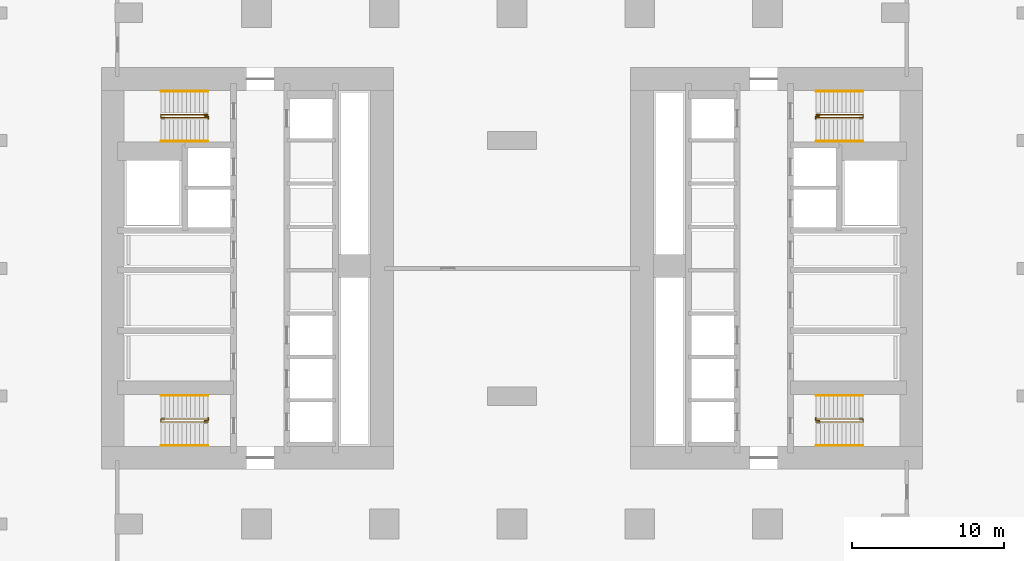
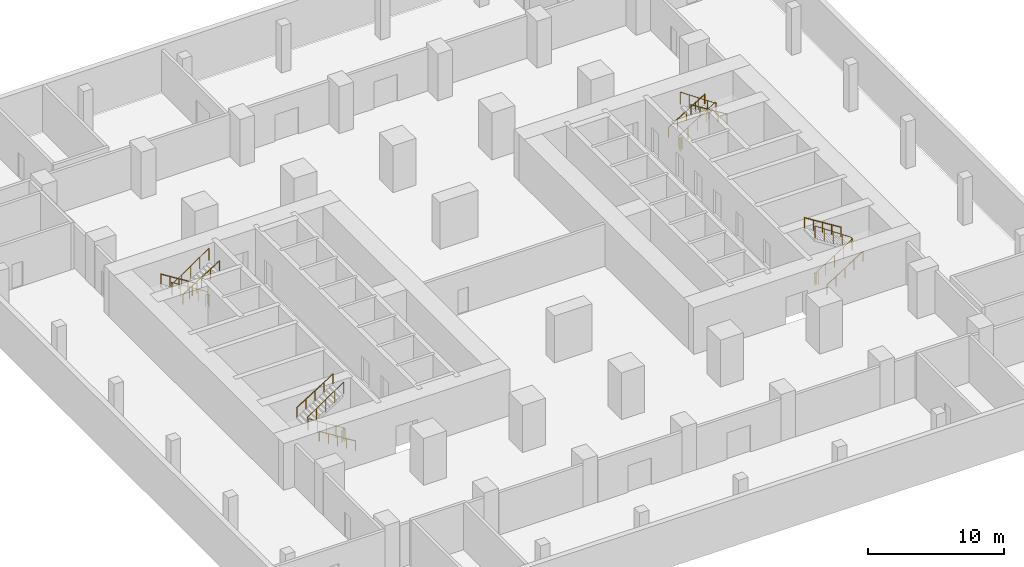
# One storey, part 8 of 8: 16 railings.
"""IFC4 building model written with IfcOpenShell, lengths in metres."""

from ifc_helpers import new_model, si_unit, direction, frame, origin, origin_2d, place, context, subcontext, project, spatial, circle, extrude, material, type_object, element, save


model = new_model("IFC4")

# Units and contexts
model_context = context("Model", 3, precision=1e-05, world=origin(), true_north=direction((0.0, 1.0)))
body_context = subcontext(model_context, "Body", "Model", "MODEL_VIEW")
ifc_project = project(units=[si_unit("LENGTHUNIT", "METRE"), si_unit("AREAUNIT", "SQUARE_METRE"), si_unit("VOLUMEUNIT", "CUBIC_METRE"), si_unit("PLANEANGLEUNIT", "RADIAN"), si_unit("MASSUNIT", "GRAM", prefix="KILO")], contexts=[model_context])

# Site, building, storey
site_placement = place(None, origin())
site = spatial("IfcSite", under=ifc_project, at=site_placement, CompositionType="ELEMENT")
building_placement = place(site_placement, origin())
building = spatial("IfcBuilding", under=site, at=building_placement, Name="Claustro Exchange Tower", CompositionType="ELEMENT")
storey_placement = place(building_placement, frame((0.0, 0.0, -4.199951171875)))
storey = spatial("IfcBuildingStorey", under=building, at=storey_placement, Name="B1", CompositionType="ELEMENT", Elevation=-4.199951171875)

# Railings
ifc_material_1 = material(Name="Steel balustrade, painted", Category="steel")
railing_type_1 = type_object("IfcRailingType", Name="GR2 1100 steel stair guard", PredefinedType="GUARDRAIL", material=ifc_material_1)
railing_1_placement = place(storey_placement, frame((5.199951171875, 15.10009765625, 0.175048828125)))
element("IfcRailing", 1, at=railing_1_placement, inside=storey, type_object=railing_type_1, Name="Stair well guard GR2 stair STWA B1", PredefinedType="GUARDRAIL", context=body_context, shape_type="SweptSolid", body=[
    extrude(circle(Radius=0.02392578125, at=origin_2d()), frame((0.0, 0.0, 1.076171875), z_axis=(-0.848009633417, 0.0, 0.529980812513), x_axis=(0.0, -1.0, 0.0)), (0.0, 0.0, 1.0), 3.6318359375),
    extrude(circle(Radius=0.02392578125, at=origin_2d()), frame((-3.079833984375, 0.0, 3.0009765625), z_axis=(0.0, 1.0, 0.0), x_axis=(-1.0, 0.0, 0.0)), (0.0, 0.0, 1.0), 0.199951171875),
    extrude(circle(Radius=0.02392578125, at=origin_2d()), frame((-3.079833984375, 0.199951171875, 3.0009765625), z_axis=(0.826201015165, 0.0, 0.563375436579), x_axis=(0.0, 1.0, 0.0)), (0.0, 0.0, 1.0), 3.727783203125),
    extrude(circle(Radius=0.02099609375, at=origin_2d()), origin(), (0.0, 0.0, 1.0), 1.052001953125),
    extrude(circle(Radius=0.02099609375, at=origin_2d()), frame((-0.77001953125, 0.0, 0.481201171875)), (0.0, 0.0, 1.0), 1.052001953125),
    extrude(circle(Radius=0.02099609375, at=origin_2d()), frame((-1.5400390625, 0.0, 0.96240234375)), (0.0, 0.0, 1.0), 1.052001953125),
    extrude(circle(Radius=0.02099609375, at=origin_2d()), frame((-2.309814453125, 0.0, 1.443603515625)), (0.0, 0.0, 1.0), 1.052001953125),
    extrude(circle(Radius=0.02099609375, at=origin_2d()), frame((-3.079833984375, 0.0, 1.9248046875)), (0.0, 0.0, 1.0), 1.052001953125),
    extrude(circle(Radius=0.02099609375, at=origin_2d()), frame((-3.079833984375, 0.199951171875, 1.9248046875)), (0.0, 0.0, 1.0), 1.052001953125),
    extrude(circle(Radius=0.02099609375, at=origin_2d()), frame((-2.309814453125, 0.199951171875, 2.44970703125)), (0.0, 0.0, 1.0), 1.052001953125),
    extrude(circle(Radius=0.02099609375, at=origin_2d()), frame((-1.5400390625, 0.199951171875, 2.974853515625)), (0.0, 0.0, 1.0), 1.052001953125),
    extrude(circle(Radius=0.02099609375, at=origin_2d()), frame((-0.77001953125, 0.199951171875, 3.5)), (0.0, 0.0, 1.0), 1.052001953125),
    extrude(circle(Radius=0.02099609375, at=origin_2d()), frame((0.0, 0.199951171875, 4.02490234375)), (0.0, 0.0, 1.0), 1.052001953125),
])
railing_2_placement = place(storey_placement, frame((5.0, 15.169921875, 0.0)))
element("IfcRailing", 2, at=railing_2_placement, inside=storey, type_object=railing_type_1, Name="Stair guard GR2 STWA B1", PredefinedType="GUARDRAIL", context=body_context, shape_type="SweptSolid", body=[
    extrude(circle(Radius=0.02392578125, at=origin_2d()), frame((0.0, 0.0, 1.076171875), z_axis=(0.0, 1.0, 0.0), x_axis=(-1.0, 0.0, 0.0)), (0.0, 0.0, 1.0), 0.030029296875),
    extrude(circle(Radius=0.02392578125, at=origin_2d()), frame((0.0, 0.030029296875, 1.076171875), z_axis=(1.0, 0.0, 0.0), x_axis=(0.0, 1.0, 0.0)), (0.0, 0.0, 1.0), 0.22509765625),
    extrude(circle(Radius=0.02392578125, at=origin_2d()), frame((0.22509765625, 0.030029296875, 1.076171875), z_axis=(0.0, 1.0, 0.0), x_axis=(-1.0, 0.0, 0.0)), (0.0, 0.0, 1.0), 0.179931640625),
    extrude(circle(Radius=0.02099609375, at=origin_2d()), origin(), (0.0, 0.0, 1.0), 1.052001953125),
    extrude(circle(Radius=0.02099609375, at=origin_2d()), frame((0.0, 0.030029296875, 0.0)), (0.0, 0.0, 1.0), 1.052001953125),
    extrude(circle(Radius=0.02099609375, at=origin_2d()), frame((0.22509765625, 0.030029296875, 0.0)), (0.0, 0.0, 1.0), 1.052001953125),
    extrude(circle(Radius=0.02099609375, at=origin_2d()), frame((0.22509765625, 0.2099609375, 0.0)), (0.0, 0.0, 1.0), 1.052001953125),
])
railing_3_placement = place(storey_placement, frame((5.199951171875, 35.300048828125, 0.175048828125)))
element("IfcRailing", 3, at=railing_3_placement, inside=storey, type_object=railing_type_1, Name="Stair well guard GR2 stair STWB B1", PredefinedType="GUARDRAIL", context=body_context, shape_type="SweptSolid", body=[
    extrude(circle(Radius=0.02392578125, at=origin_2d()), frame((0.0, 0.0, 1.076171875), z_axis=(-0.848009633417, 0.0, 0.529980812513), x_axis=(0.0, -1.0, 0.0)), (0.0, 0.0, 1.0), 3.6318359375),
    extrude(circle(Radius=0.02392578125, at=origin_2d()), frame((-3.079833984375, 0.0, 3.0009765625), z_axis=(0.0, -1.0, 0.0), x_axis=(1.0, 0.0, 0.0)), (0.0, 0.0, 1.0), 0.199951171875),
    extrude(circle(Radius=0.02392578125, at=origin_2d()), frame((-3.079833984375, -0.199951171875, 3.0009765625), z_axis=(0.826201015165, 0.0, 0.563375436579), x_axis=(0.0, 1.0, 0.0)), (0.0, 0.0, 1.0), 3.727783203125),
    extrude(circle(Radius=0.02099609375, at=origin_2d()), origin(), (0.0, 0.0, 1.0), 1.052001953125),
    extrude(circle(Radius=0.02099609375, at=origin_2d()), frame((-0.77001953125, 0.0, 0.481201171875)), (0.0, 0.0, 1.0), 1.052001953125),
    extrude(circle(Radius=0.02099609375, at=origin_2d()), frame((-1.5400390625, 0.0, 0.96240234375)), (0.0, 0.0, 1.0), 1.052001953125),
    extrude(circle(Radius=0.02099609375, at=origin_2d()), frame((-2.309814453125, 0.0, 1.443603515625)), (0.0, 0.0, 1.0), 1.052001953125),
    extrude(circle(Radius=0.02099609375, at=origin_2d()), frame((-3.079833984375, 0.0, 1.9248046875)), (0.0, 0.0, 1.0), 1.052001953125),
    extrude(circle(Radius=0.02099609375, at=origin_2d()), frame((-3.079833984375, -0.199951171875, 1.9248046875)), (0.0, 0.0, 1.0), 1.052001953125),
    extrude(circle(Radius=0.02099609375, at=origin_2d()), frame((-2.309814453125, -0.199951171875, 2.44970703125)), (0.0, 0.0, 1.0), 1.052001953125),
    extrude(circle(Radius=0.02099609375, at=origin_2d()), frame((-1.5400390625, -0.199951171875, 2.974853515625)), (0.0, 0.0, 1.0), 1.052001953125),
    extrude(circle(Radius=0.02099609375, at=origin_2d()), frame((-0.77001953125, -0.199951171875, 3.5)), (0.0, 0.0, 1.0), 1.052001953125),
    extrude(circle(Radius=0.02099609375, at=origin_2d()), frame((0.0, -0.199951171875, 4.02490234375)), (0.0, 0.0, 1.0), 1.052001953125),
])
railing_4_placement = place(storey_placement, frame((5.0, 35.22998046875, 0.0)))
element("IfcRailing", 4, at=railing_4_placement, inside=storey, type_object=railing_type_1, Name="Stair guard GR2 STWB B1", PredefinedType="GUARDRAIL", context=body_context, shape_type="SweptSolid", body=[
    extrude(circle(Radius=0.02392578125, at=origin_2d()), frame((0.0, 0.0, 1.076171875), z_axis=(0.0, -1.0, 0.0), x_axis=(1.0, 0.0, 0.0)), (0.0, 0.0, 1.0), 0.030029296875),
    extrude(circle(Radius=0.02392578125, at=origin_2d()), frame((0.0, -0.030029296875, 1.076171875), z_axis=(1.0, 0.0, 0.0), x_axis=(0.0, 1.0, 0.0)), (0.0, 0.0, 1.0), 0.22509765625),
    extrude(circle(Radius=0.02392578125, at=origin_2d()), frame((0.22509765625, -0.030029296875, 1.076171875), z_axis=(0.0, -1.0, 0.0), x_axis=(1.0, 0.0, 0.0)), (0.0, 0.0, 1.0), 0.179931640625),
    extrude(circle(Radius=0.02099609375, at=origin_2d()), origin(), (0.0, 0.0, 1.0), 1.052001953125),
    extrude(circle(Radius=0.02099609375, at=origin_2d()), frame((0.0, -0.030029296875, 0.0)), (0.0, 0.0, 1.0), 1.052001953125),
    extrude(circle(Radius=0.02099609375, at=origin_2d()), frame((0.22509765625, -0.030029296875, 0.0)), (0.0, 0.0, 1.0), 1.052001953125),
    extrude(circle(Radius=0.02099609375, at=origin_2d()), frame((0.22509765625, -0.2099609375, 0.0)), (0.0, 0.0, 1.0), 1.052001953125),
])
railing_5_placement = place(storey_placement, frame((45.199951171875, 15.10009765625, 0.175048828125)))
element("IfcRailing", 5, at=railing_5_placement, inside=storey, type_object=railing_type_1, Name="Stair well guard GR2 stair STEA B1", PredefinedType="GUARDRAIL", context=body_context, shape_type="SweptSolid", body=[
    extrude(circle(Radius=0.02392578125, at=origin_2d()), frame((0.0, 0.0, 1.076171875), z_axis=(0.848028513186, 0.0, 0.529950602248), x_axis=(0.0, 1.0, 0.0)), (0.0, 0.0, 1.0), 3.632080078125),
    extrude(circle(Radius=0.02392578125, at=origin_2d()), frame((3.080078125, 0.0, 3.0009765625), z_axis=(0.0, 1.0, 0.0), x_axis=(-1.0, 0.0, 0.0)), (0.0, 0.0, 1.0), 0.199951171875),
    extrude(circle(Radius=0.02392578125, at=origin_2d()), frame((3.080078125, 0.199951171875, 3.0009765625), z_axis=(-0.826221800596, 0.0, 0.563344953133), x_axis=(0.0, -1.0, 0.0)), (0.0, 0.0, 1.0), 3.72802734375),
    extrude(circle(Radius=0.02099609375, at=origin_2d()), origin(), (0.0, 0.0, 1.0), 1.052001953125),
    extrude(circle(Radius=0.02099609375, at=origin_2d()), frame((0.77001953125, 0.0, 0.481201171875)), (0.0, 0.0, 1.0), 1.052001953125),
    extrude(circle(Radius=0.02099609375, at=origin_2d()), frame((1.5400390625, 0.0, 0.96240234375)), (0.0, 0.0, 1.0), 1.052001953125),
    extrude(circle(Radius=0.02099609375, at=origin_2d()), frame((2.31005859375, 0.0, 1.443603515625)), (0.0, 0.0, 1.0), 1.052001953125),
    extrude(circle(Radius=0.02099609375, at=origin_2d()), frame((3.080078125, 0.0, 1.9248046875)), (0.0, 0.0, 1.0), 1.052001953125),
    extrude(circle(Radius=0.02099609375, at=origin_2d()), frame((3.080078125, 0.199951171875, 1.9248046875)), (0.0, 0.0, 1.0), 1.052001953125),
    extrude(circle(Radius=0.02099609375, at=origin_2d()), frame((2.31005859375, 0.199951171875, 2.44970703125)), (0.0, 0.0, 1.0), 1.052001953125),
    extrude(circle(Radius=0.02099609375, at=origin_2d()), frame((1.5400390625, 0.199951171875, 2.974853515625)), (0.0, 0.0, 1.0), 1.052001953125),
    extrude(circle(Radius=0.02099609375, at=origin_2d()), frame((0.77001953125, 0.199951171875, 3.5)), (0.0, 0.0, 1.0), 1.052001953125),
    extrude(circle(Radius=0.02099609375, at=origin_2d()), frame((0.0, 0.199951171875, 4.02490234375)), (0.0, 0.0, 1.0), 1.052001953125),
])
railing_6_placement = place(storey_placement, frame((45.39990234375, 15.169921875, 0.0)))
element("IfcRailing", 6, at=railing_6_placement, inside=storey, type_object=railing_type_1, Name="Stair guard GR2 STEA B1", PredefinedType="GUARDRAIL", context=body_context, shape_type="SweptSolid", body=[
    extrude(circle(Radius=0.02392578125, at=origin_2d()), frame((0.0, 0.0, 1.076171875), z_axis=(0.0, 1.0, 0.0), x_axis=(-1.0, 0.0, 0.0)), (0.0, 0.0, 1.0), 0.030029296875),
    extrude(circle(Radius=0.02392578125, at=origin_2d()), frame((0.0, 0.030029296875, 1.076171875), z_axis=(-1.0, 0.0, 0.0), x_axis=(0.0, -1.0, 0.0)), (0.0, 0.0, 1.0), 0.224853515625),
    extrude(circle(Radius=0.02392578125, at=origin_2d()), frame((-0.224853515625, 0.030029296875, 1.076171875), z_axis=(0.0, 1.0, 0.0), x_axis=(-1.0, 0.0, 0.0)), (0.0, 0.0, 1.0), 0.179931640625),
    extrude(circle(Radius=0.02099609375, at=origin_2d()), origin(), (0.0, 0.0, 1.0), 1.052001953125),
    extrude(circle(Radius=0.02099609375, at=origin_2d()), frame((0.0, 0.030029296875, 0.0)), (0.0, 0.0, 1.0), 1.052001953125),
    extrude(circle(Radius=0.02099609375, at=origin_2d()), frame((-0.224853515625, 0.030029296875, 0.0)), (0.0, 0.0, 1.0), 1.052001953125),
    extrude(circle(Radius=0.02099609375, at=origin_2d()), frame((-0.224853515625, 0.2099609375, 0.0)), (0.0, 0.0, 1.0), 1.052001953125),
])
railing_7_placement = place(storey_placement, frame((45.199951171875, 35.300048828125, 0.175048828125)))
element("IfcRailing", 7, at=railing_7_placement, inside=storey, type_object=railing_type_1, Name="Stair well guard GR2 stair STEB B1", PredefinedType="GUARDRAIL", context=body_context, shape_type="SweptSolid", body=[
    extrude(circle(Radius=0.02392578125, at=origin_2d()), frame((0.0, 0.0, 1.076171875), z_axis=(0.848028513186, 0.0, 0.529950602248), x_axis=(0.0, 1.0, 0.0)), (0.0, 0.0, 1.0), 3.632080078125),
    extrude(circle(Radius=0.02392578125, at=origin_2d()), frame((3.080078125, 0.0, 3.0009765625), z_axis=(0.0, -1.0, 0.0), x_axis=(1.0, 0.0, 0.0)), (0.0, 0.0, 1.0), 0.199951171875),
    extrude(circle(Radius=0.02392578125, at=origin_2d()), frame((3.080078125, -0.199951171875, 3.0009765625), z_axis=(-0.826221800596, 0.0, 0.563344953133), x_axis=(0.0, -1.0, 0.0)), (0.0, 0.0, 1.0), 3.72802734375),
    extrude(circle(Radius=0.02099609375, at=origin_2d()), origin(), (0.0, 0.0, 1.0), 1.052001953125),
    extrude(circle(Radius=0.02099609375, at=origin_2d()), frame((0.77001953125, 0.0, 0.481201171875)), (0.0, 0.0, 1.0), 1.052001953125),
    extrude(circle(Radius=0.02099609375, at=origin_2d()), frame((1.5400390625, 0.0, 0.96240234375)), (0.0, 0.0, 1.0), 1.052001953125),
    extrude(circle(Radius=0.02099609375, at=origin_2d()), frame((2.31005859375, 0.0, 1.443603515625)), (0.0, 0.0, 1.0), 1.052001953125),
    extrude(circle(Radius=0.02099609375, at=origin_2d()), frame((3.080078125, 0.0, 1.9248046875)), (0.0, 0.0, 1.0), 1.052001953125),
    extrude(circle(Radius=0.02099609375, at=origin_2d()), frame((3.080078125, -0.199951171875, 1.9248046875)), (0.0, 0.0, 1.0), 1.052001953125),
    extrude(circle(Radius=0.02099609375, at=origin_2d()), frame((2.31005859375, -0.199951171875, 2.44970703125)), (0.0, 0.0, 1.0), 1.052001953125),
    extrude(circle(Radius=0.02099609375, at=origin_2d()), frame((1.5400390625, -0.199951171875, 2.974853515625)), (0.0, 0.0, 1.0), 1.052001953125),
    extrude(circle(Radius=0.02099609375, at=origin_2d()), frame((0.77001953125, -0.199951171875, 3.5)), (0.0, 0.0, 1.0), 1.052001953125),
    extrude(circle(Radius=0.02099609375, at=origin_2d()), frame((0.0, -0.199951171875, 4.02490234375)), (0.0, 0.0, 1.0), 1.052001953125),
])
railing_8_placement = place(storey_placement, frame((45.39990234375, 35.22998046875, 0.0)))
element("IfcRailing", 8, at=railing_8_placement, inside=storey, type_object=railing_type_1, Name="Stair guard GR2 STEB B1", PredefinedType="GUARDRAIL", context=body_context, shape_type="SweptSolid", body=[
    extrude(circle(Radius=0.02392578125, at=origin_2d()), frame((0.0, 0.0, 1.076171875), z_axis=(0.0, -1.0, 0.0), x_axis=(1.0, 0.0, 0.0)), (0.0, 0.0, 1.0), 0.030029296875),
    extrude(circle(Radius=0.02392578125, at=origin_2d()), frame((0.0, -0.030029296875, 1.076171875), z_axis=(-1.0, 0.0, 0.0), x_axis=(0.0, -1.0, 0.0)), (0.0, 0.0, 1.0), 0.224853515625),
    extrude(circle(Radius=0.02392578125, at=origin_2d()), frame((-0.224853515625, -0.030029296875, 1.076171875), z_axis=(0.0, -1.0, 0.0), x_axis=(1.0, 0.0, 0.0)), (0.0, 0.0, 1.0), 0.179931640625),
    extrude(circle(Radius=0.02099609375, at=origin_2d()), origin(), (0.0, 0.0, 1.0), 1.052001953125),
    extrude(circle(Radius=0.02099609375, at=origin_2d()), frame((0.0, -0.030029296875, 0.0)), (0.0, 0.0, 1.0), 1.052001953125),
    extrude(circle(Radius=0.02099609375, at=origin_2d()), frame((-0.224853515625, -0.030029296875, 0.0)), (0.0, 0.0, 1.0), 1.052001953125),
    extrude(circle(Radius=0.02099609375, at=origin_2d()), frame((-0.224853515625, -0.2099609375, 0.0)), (0.0, 0.0, 1.0), 1.052001953125),
])
ifc_material_2 = material(Name="Stainless steel tube", Category="steel")
railing_type_2 = type_object("IfcRailingType", Name="HR1 900 stair handrail", PredefinedType="HANDRAIL", material=ifc_material_2)
railing_9_placement = place(storey_placement, frame((5.199951171875, 13.56005859375, 0.175048828125)))
element("IfcRailing", 9, at=railing_9_placement, inside=storey, type_object=railing_type_2, Name="Handrail HR1 stair STWA B1", PredefinedType="HANDRAIL", context=body_context, shape_type="SweptSolid", body=[
    extrude(circle(Radius=0.02392578125, at=origin_2d()), frame((0.0, 0.0, 0.8759765625), z_axis=(-0.848009633417, 0.0, 0.529980812513), x_axis=(0.0, -1.0, 0.0)), (0.0, 0.0, 1.0), 3.6318359375),
    extrude(circle(Radius=0.02099609375, at=origin_2d()), origin(), (0.0, 0.0, 1.0), 0.851806640625),
    extrude(circle(Radius=0.02099609375, at=origin_2d()), frame((-0.77001953125, 0.0, 0.481201171875)), (0.0, 0.0, 1.0), 0.851806640625),
    extrude(circle(Radius=0.02099609375, at=origin_2d()), frame((-1.5400390625, 0.0, 0.96240234375)), (0.0, 0.0, 1.0), 0.851806640625),
    extrude(circle(Radius=0.02099609375, at=origin_2d()), frame((-2.309814453125, 0.0, 1.443603515625)), (0.0, 0.0, 1.0), 0.851806640625),
    extrude(circle(Radius=0.02099609375, at=origin_2d()), frame((-3.079833984375, 0.0, 1.9248046875)), (0.0, 0.0, 1.0), 0.851806640625),
])
railing_10_placement = place(storey_placement, frame((2.1201171875, 16.840087890625, 2.27490234375)))
element("IfcRailing", 10, at=railing_10_placement, inside=storey, type_object=railing_type_2, Name="Handrail HR1 stair STWA B1", PredefinedType="HANDRAIL", context=body_context, shape_type="SweptSolid", body=[
    extrude(circle(Radius=0.02392578125, at=origin_2d()), frame((0.0, 0.0, 0.8759765625), z_axis=(0.847979421464, 0.0, 0.530029150871), x_axis=(0.0, 1.0, 0.0)), (0.0, 0.0, 1.0), 3.632080078125),
    extrude(circle(Radius=0.02099609375, at=origin_2d()), origin(), (0.0, 0.0, 1.0), 0.851806640625),
    extrude(circle(Radius=0.02099609375, at=origin_2d()), frame((0.77001953125, 0.0, 0.481201171875)), (0.0, 0.0, 1.0), 0.851806640625),
    extrude(circle(Radius=0.02099609375, at=origin_2d()), frame((1.5400390625, 0.0, 0.96240234375)), (0.0, 0.0, 1.0), 0.851806640625),
    extrude(circle(Radius=0.02099609375, at=origin_2d()), frame((2.309814453125, 0.0, 1.44384765625)), (0.0, 0.0, 1.0), 0.851806640625),
    extrude(circle(Radius=0.02099609375, at=origin_2d()), frame((3.079833984375, 0.0, 1.925048828125)), (0.0, 0.0, 1.0), 0.851806640625),
])
railing_11_placement = place(storey_placement, frame((5.199951171875, 36.840087890625, 0.175048828125)))
element("IfcRailing", 11, at=railing_11_placement, inside=storey, type_object=railing_type_2, Name="Handrail HR1 stair STWB B1", PredefinedType="HANDRAIL", context=body_context, shape_type="SweptSolid", body=[
    extrude(circle(Radius=0.02392578125, at=origin_2d()), frame((0.0, 0.0, 0.8759765625), z_axis=(-0.848009633417, 0.0, 0.529980812513), x_axis=(0.0, -1.0, 0.0)), (0.0, 0.0, 1.0), 3.6318359375),
    extrude(circle(Radius=0.02099609375, at=origin_2d()), origin(), (0.0, 0.0, 1.0), 0.851806640625),
    extrude(circle(Radius=0.02099609375, at=origin_2d()), frame((-0.77001953125, 0.0, 0.481201171875)), (0.0, 0.0, 1.0), 0.851806640625),
    extrude(circle(Radius=0.02099609375, at=origin_2d()), frame((-1.5400390625, 0.0, 0.96240234375)), (0.0, 0.0, 1.0), 0.851806640625),
    extrude(circle(Radius=0.02099609375, at=origin_2d()), frame((-2.309814453125, 0.0, 1.443603515625)), (0.0, 0.0, 1.0), 0.851806640625),
    extrude(circle(Radius=0.02099609375, at=origin_2d()), frame((-3.079833984375, 0.0, 1.9248046875)), (0.0, 0.0, 1.0), 0.851806640625),
])
railing_12_placement = place(storey_placement, frame((2.1201171875, 33.56005859375, 2.27490234375)))
element("IfcRailing", 12, at=railing_12_placement, inside=storey, type_object=railing_type_2, Name="Handrail HR1 stair STWB B1", PredefinedType="HANDRAIL", context=body_context, shape_type="SweptSolid", body=[
    extrude(circle(Radius=0.02392578125, at=origin_2d()), frame((0.0, 0.0, 0.8759765625), z_axis=(0.847979421464, 0.0, 0.530029150871), x_axis=(0.0, 1.0, 0.0)), (0.0, 0.0, 1.0), 3.632080078125),
    extrude(circle(Radius=0.02099609375, at=origin_2d()), origin(), (0.0, 0.0, 1.0), 0.851806640625),
    extrude(circle(Radius=0.02099609375, at=origin_2d()), frame((0.77001953125, 0.0, 0.481201171875)), (0.0, 0.0, 1.0), 0.851806640625),
    extrude(circle(Radius=0.02099609375, at=origin_2d()), frame((1.5400390625, 0.0, 0.96240234375)), (0.0, 0.0, 1.0), 0.851806640625),
    extrude(circle(Radius=0.02099609375, at=origin_2d()), frame((2.309814453125, 0.0, 1.44384765625)), (0.0, 0.0, 1.0), 0.851806640625),
    extrude(circle(Radius=0.02099609375, at=origin_2d()), frame((3.079833984375, 0.0, 1.925048828125)), (0.0, 0.0, 1.0), 0.851806640625),
])
railing_13_placement = place(storey_placement, frame((45.199951171875, 13.56005859375, 0.175048828125)))
element("IfcRailing", 13, at=railing_13_placement, inside=storey, type_object=railing_type_2, Name="Handrail HR1 stair STEA B1", PredefinedType="HANDRAIL", context=body_context, shape_type="SweptSolid", body=[
    extrude(circle(Radius=0.02392578125, at=origin_2d()), frame((0.0, 0.0, 0.8759765625), z_axis=(0.848028513186, 0.0, 0.529950602248), x_axis=(0.0, 1.0, 0.0)), (0.0, 0.0, 1.0), 3.632080078125),
    extrude(circle(Radius=0.02099609375, at=origin_2d()), origin(), (0.0, 0.0, 1.0), 0.851806640625),
    extrude(circle(Radius=0.02099609375, at=origin_2d()), frame((0.77001953125, 0.0, 0.481201171875)), (0.0, 0.0, 1.0), 0.851806640625),
    extrude(circle(Radius=0.02099609375, at=origin_2d()), frame((1.5400390625, 0.0, 0.96240234375)), (0.0, 0.0, 1.0), 0.851806640625),
    extrude(circle(Radius=0.02099609375, at=origin_2d()), frame((2.31005859375, 0.0, 1.443603515625)), (0.0, 0.0, 1.0), 0.851806640625),
    extrude(circle(Radius=0.02099609375, at=origin_2d()), frame((3.080078125, 0.0, 1.9248046875)), (0.0, 0.0, 1.0), 0.851806640625),
])
railing_14_placement = place(storey_placement, frame((48.280029296875, 16.840087890625, 2.27490234375)))
element("IfcRailing", 14, at=railing_14_placement, inside=storey, type_object=railing_type_2, Name="Handrail HR1 stair STEA B1", PredefinedType="HANDRAIL", context=body_context, shape_type="SweptSolid", body=[
    extrude(circle(Radius=0.02392578125, at=origin_2d()), frame((0.0, 0.0, 0.8759765625), z_axis=(-0.847998304005, 0.0, 0.529998940003), x_axis=(0.0, -1.0, 0.0)), (0.0, 0.0, 1.0), 3.632080078125),
    extrude(circle(Radius=0.02099609375, at=origin_2d()), origin(), (0.0, 0.0, 1.0), 0.851806640625),
    extrude(circle(Radius=0.02099609375, at=origin_2d()), frame((-0.77001953125, 0.0, 0.481201171875)), (0.0, 0.0, 1.0), 0.851806640625),
    extrude(circle(Radius=0.02099609375, at=origin_2d()), frame((-1.5400390625, 0.0, 0.96240234375)), (0.0, 0.0, 1.0), 0.851806640625),
    extrude(circle(Radius=0.02099609375, at=origin_2d()), frame((-2.31005859375, 0.0, 1.44384765625)), (0.0, 0.0, 1.0), 0.851806640625),
    extrude(circle(Radius=0.02099609375, at=origin_2d()), frame((-3.080078125, 0.0, 1.925048828125)), (0.0, 0.0, 1.0), 0.851806640625),
])
railing_15_placement = place(storey_placement, frame((45.199951171875, 36.840087890625, 0.175048828125)))
element("IfcRailing", 15, at=railing_15_placement, inside=storey, type_object=railing_type_2, Name="Handrail HR1 stair STEB B1", PredefinedType="HANDRAIL", context=body_context, shape_type="SweptSolid", body=[
    extrude(circle(Radius=0.02392578125, at=origin_2d()), frame((0.0, 0.0, 0.8759765625), z_axis=(0.848028513186, 0.0, 0.529950602248), x_axis=(0.0, 1.0, 0.0)), (0.0, 0.0, 1.0), 3.632080078125),
    extrude(circle(Radius=0.02099609375, at=origin_2d()), origin(), (0.0, 0.0, 1.0), 0.851806640625),
    extrude(circle(Radius=0.02099609375, at=origin_2d()), frame((0.77001953125, 0.0, 0.481201171875)), (0.0, 0.0, 1.0), 0.851806640625),
    extrude(circle(Radius=0.02099609375, at=origin_2d()), frame((1.5400390625, 0.0, 0.96240234375)), (0.0, 0.0, 1.0), 0.851806640625),
    extrude(circle(Radius=0.02099609375, at=origin_2d()), frame((2.31005859375, 0.0, 1.443603515625)), (0.0, 0.0, 1.0), 0.851806640625),
    extrude(circle(Radius=0.02099609375, at=origin_2d()), frame((3.080078125, 0.0, 1.9248046875)), (0.0, 0.0, 1.0), 0.851806640625),
])
railing_16_placement = place(storey_placement, frame((48.280029296875, 33.56005859375, 2.27490234375)))
element("IfcRailing", 16, at=railing_16_placement, inside=storey, type_object=railing_type_2, Name="Handrail HR1 stair STEB B1", PredefinedType="HANDRAIL", context=body_context, shape_type="SweptSolid", body=[
    extrude(circle(Radius=0.02392578125, at=origin_2d()), frame((0.0, 0.0, 0.8759765625), z_axis=(-0.847998304005, 0.0, 0.529998940003), x_axis=(0.0, -1.0, 0.0)), (0.0, 0.0, 1.0), 3.632080078125),
    extrude(circle(Radius=0.02099609375, at=origin_2d()), origin(), (0.0, 0.0, 1.0), 0.851806640625),
    extrude(circle(Radius=0.02099609375, at=origin_2d()), frame((-0.77001953125, 0.0, 0.481201171875)), (0.0, 0.0, 1.0), 0.851806640625),
    extrude(circle(Radius=0.02099609375, at=origin_2d()), frame((-1.5400390625, 0.0, 0.96240234375)), (0.0, 0.0, 1.0), 0.851806640625),
    extrude(circle(Radius=0.02099609375, at=origin_2d()), frame((-2.31005859375, 0.0, 1.44384765625)), (0.0, 0.0, 1.0), 0.851806640625),
    extrude(circle(Radius=0.02099609375, at=origin_2d()), frame((-3.080078125, 0.0, 1.925048828125)), (0.0, 0.0, 1.0), 0.851806640625),
])

save(model, "model.ifc")
